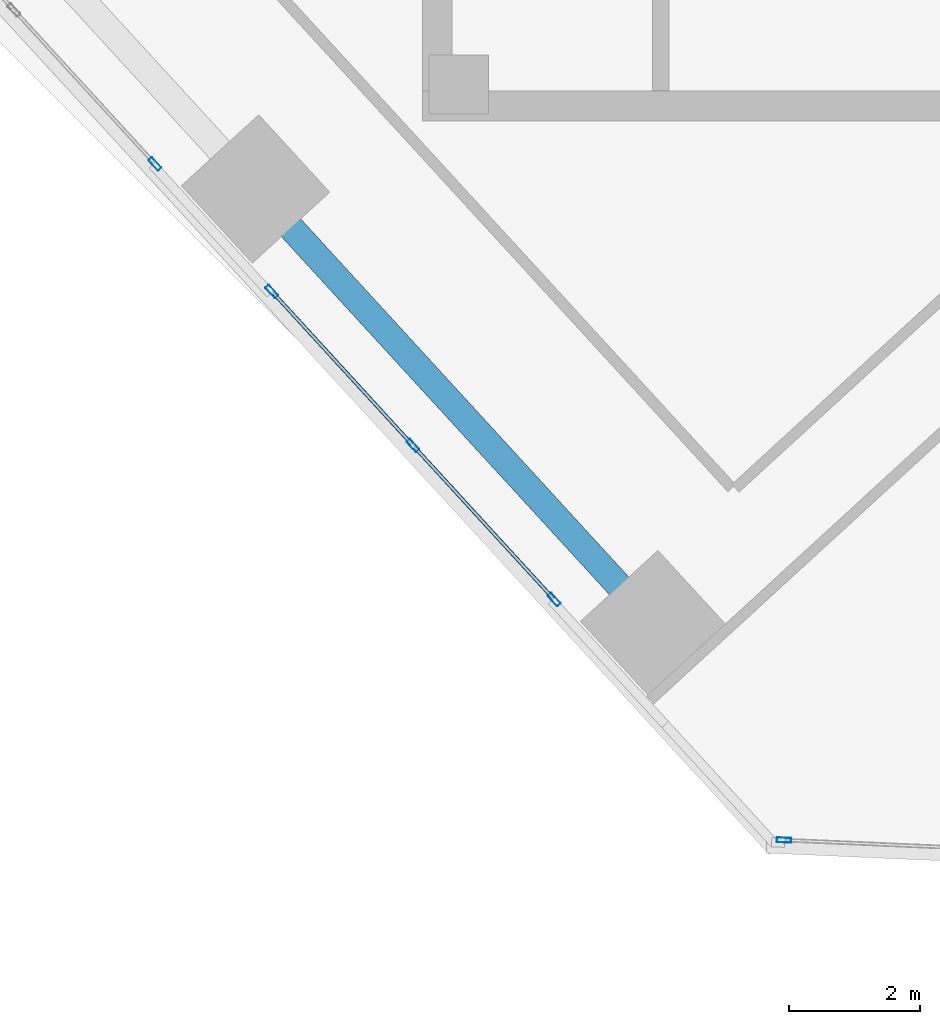
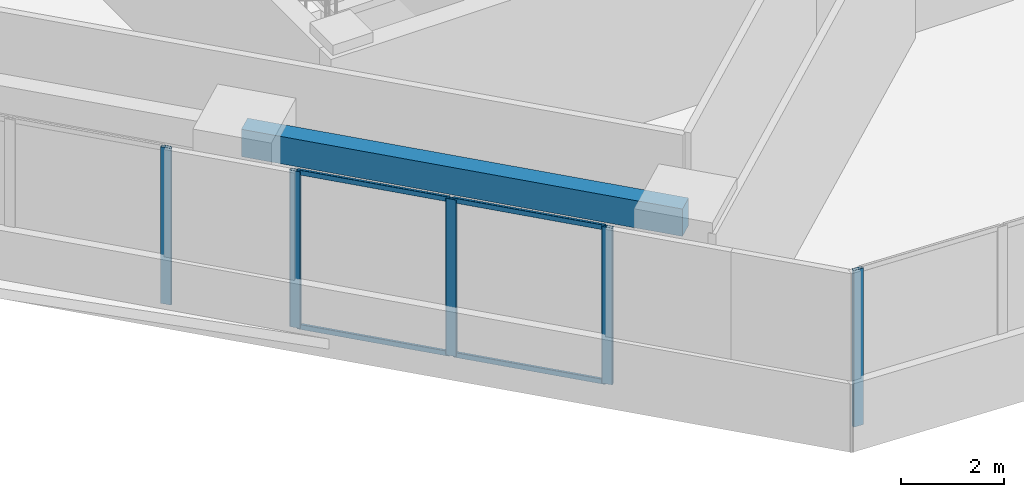
# One storey, part 2 of 17: 9 members, 1 beam, 3 elements without a shape of their own.
"""IFC4 building model written with IfcOpenShell, lengths in metres."""

from ifc_helpers import new_model, si_unit, direction, frame, origin, origin_2d, place, context, subcontext, project, spatial, rectangle, hollow_rectangle, extrude, source, transform, mapped, material, material_profile, profile_set, type_object, element, aggregate, save


model = new_model("IFC4")

# Units and contexts
model_context = context("Model", 3, precision=1e-05, world=origin(), true_north=direction((0.0, 1.0)))
body_context = subcontext(model_context, "Body", "Model", "MODEL_VIEW")
ifc_project = project(units=[si_unit("LENGTHUNIT", "METRE"), si_unit("AREAUNIT", "SQUARE_METRE"), si_unit("VOLUMEUNIT", "CUBIC_METRE"), si_unit("PLANEANGLEUNIT", "RADIAN"), si_unit("MASSUNIT", "GRAM", prefix="KILO")], contexts=[model_context])

# Site, building, storey
site_placement = place(None, origin())
site = spatial("IfcSite", under=ifc_project, at=site_placement, CompositionType="ELEMENT")
building_placement = place(site_placement, origin())
building = spatial("IfcBuilding", under=site, at=building_placement, Name="Torre Montelarca", CompositionType="ELEMENT")
storey_placement = place(building_placement, frame((0.0, 0.0, 254.199951171875)))
storey = spatial("IfcBuildingStorey", under=building, at=storey_placement, Name="L57", CompositionType="ELEMENT", Elevation=254.199951171875)

# Beam
ifc_material_1 = material(Name="Concrete C40/50", Category="concrete")
ifc_material_profile_1 = material_profile(ifc_material_1, rectangle(XDim=0.39990234375, YDim=0.64990234375, at=origin_2d()), Name="RCB400X650", Category="concrete")
ifc_profile_set_1 = profile_set([ifc_material_profile_1], Name="Concrete C40/50")
beam_type = type_object("IfcBeamType", Name="BM-SP-RC650-EXT", PredefinedType="SPANDREL", material=ifc_profile_set_1)
shared_shape_1 = source(origin(), body_context, "Body", "SweptSolid", [
    extrude(rectangle(XDim=0.39990234375, YDim=0.64990234375, at=origin_2d()), origin(), (0.0, 0.0, 1.0), 9.0),
])
beam_placement = place(storey_placement, frame((6.454345703125, 22.960205078125, 3.635009765625), z_axis=(0.675590724023, -0.73727686361, 0.0), x_axis=(0.73727686361, 0.675590724023, 0.0)))
element("IfcBeam", 1, at=beam_placement, inside=storey, type_object=beam_type, Name="L57 Grid Girder X 18.0-27.0 at Y=14.8", PredefinedType="SPANDREL", context=body_context, shape_type="MappedRepresentation", body=[
    mapped(shared_shape_1, transform((0.0, 0.0, 0.0), scale=1.0)),
])

# Curtain wall, member
ifc_material_2 = material(Name="Insulated low-E laminated glass", Category="glass")
curtain_wall_type = type_object("IfcCurtainWallType", Name="CW-SYS-Z3", PredefinedType="USERDEFINED", material=ifc_material_2)
curtain_wall_1_placement = place(storey_placement, origin())
curtain_wall_1 = element("IfcCurtainWall", 2, at=curtain_wall_1_placement, inside=storey, type_object=curtain_wall_type, Name="L57 Curtain Wall Run CW-T3-L57-E01-B1", ObjectType="UNITISED GLAZING", PredefinedType="USERDEFINED")
ifc_material_3 = material(Name="Anodised aluminium AA 6063-T6", Category="aluminium")
ifc_material_profile_2 = material_profile(ifc_material_3, hollow_rectangle(XDim=0.074951171875, YDim=0.219970703125, WallThickness=0.0048828125, InnerFilletRadius=0.0048828125, OuterFilletRadius=0.010009765625, at=origin_2d()), Name="ALU75X220X5", Category="aluminium")
ifc_profile_set_2 = profile_set([ifc_material_profile_2], Name="Anodised aluminium AA 6063-T6")
member_type_1 = type_object("IfcMemberType", Name="CWM-ALU220", PredefinedType="MULLION", material=ifc_profile_set_2)
shared_shape_2 = source(origin(), body_context, "Body", "SweptSolid", [
    extrude(hollow_rectangle(XDim=0.074951171875, YDim=0.219970703125, WallThickness=0.0048828125, InnerFilletRadius=0.0048828125, OuterFilletRadius=0.010009765625, at=origin_2d()), origin(), (0.0, 0.0, 1.0), 3.719970703125),
])
member_1_placement = place(storey_placement, frame((4.9228515625, 23.34375, 0.0), z_axis=(0.0, 0.0, 1.0), x_axis=(0.737279815472, 0.675587502621, 0.0)))
member_1 = element("IfcMember", 3, at=member_1_placement, type_object=member_type_1, Name="CW mullion 3", PredefinedType="MULLION", context=body_context, shape_type="MappedRepresentation", body=[
    mapped(shared_shape_2, transform((0.0, 0.0, 0.0), scale=1.0)),
])
aggregate(curtain_wall_1, [member_1])

# Curtain wall, members
curtain_wall_2_placement = place(storey_placement, origin())
curtain_wall_2 = element("IfcCurtainWall", 4, at=curtain_wall_2_placement, inside=storey, type_object=curtain_wall_type, Name="L57 Curtain Wall Run CW-T3-L57-E01-B2", ObjectType="UNITISED GLAZING", PredefinedType="USERDEFINED")
member_2_placement = place(storey_placement, frame((6.702880859375, 21.401123046875, 0.0), z_axis=(0.0, 0.0, 1.0), x_axis=(0.737279815472, 0.675587502621, 0.0)))
member_2 = element("IfcMember", 5, at=member_2_placement, type_object=member_type_1, Name="CW mullion 1", PredefinedType="MULLION", context=body_context, shape_type="MappedRepresentation", body=[
    mapped(shared_shape_2, transform((0.0, 0.0, 0.0), scale=1.0)),
])
member_3_placement = place(storey_placement, frame((8.85302734375, 19.0546875, 0.0), z_axis=(0.0, 0.0, 1.0), x_axis=(0.737279815472, 0.675587502621, 0.0)))
member_3 = element("IfcMember", 6, at=member_3_placement, type_object=member_type_1, Name="CW mullion 2", PredefinedType="MULLION", context=body_context, shape_type="MappedRepresentation", body=[
    mapped(shared_shape_2, transform((0.0, 0.0, 0.0), scale=1.0)),
])
member_4_placement = place(storey_placement, frame((11.003173828125, 16.708251953125, 0.0), z_axis=(0.0, 0.0, 1.0), x_axis=(0.737279815472, 0.675587502621, 0.0)))
member_4 = element("IfcMember", 7, at=member_4_placement, type_object=member_type_1, Name="CW mullion 3", PredefinedType="MULLION", context=body_context, shape_type="MappedRepresentation", body=[
    mapped(shared_shape_2, transform((0.0, 0.0, 0.0), scale=1.0)),
])

# Curtain wall, member
curtain_wall_3_placement = place(storey_placement, origin())
curtain_wall_3 = element("IfcCurtainWall", 8, at=curtain_wall_3_placement, inside=storey, type_object=curtain_wall_type, Name="L57 Curtain Wall Run CW-T3-L57-E02-B1", ObjectType="UNITISED GLAZING", PredefinedType="USERDEFINED")
member_5_placement = place(storey_placement, frame((14.505859375, 13.042236328125, 0.0), z_axis=(0.0, 0.0, 1.0), x_axis=(0.043610133473, 0.999048625573, 0.0)))
member_5 = element("IfcMember", 9, at=member_5_placement, type_object=member_type_1, Name="CW mullion 1", PredefinedType="MULLION", context=body_context, shape_type="MappedRepresentation", body=[
    mapped(shared_shape_2, transform((0.0, 0.0, 0.0), scale=1.0)),
])
aggregate(curtain_wall_3, [member_5])

# Member
ifc_material_profile_3 = material_profile(ifc_material_3, hollow_rectangle(XDim=0.054931640625, YDim=0.1201171875, WallThickness=0.00341796875, InnerFilletRadius=0.00341796875, OuterFilletRadius=0.007080078125, at=origin_2d()), Name="ALU55X120X3.5", Category="aluminium")
ifc_profile_set_3 = profile_set([ifc_material_profile_3], Name="Anodised aluminium AA 6063-T6")
member_type_2 = type_object("IfcMemberType", Name="CWT-ALU120", PredefinedType="USERDEFINED", material=ifc_profile_set_3)
shared_shape_3 = source(origin(), body_context, "Body", "SweptSolid", [
    extrude(hollow_rectangle(XDim=0.054931640625, YDim=0.1201171875, WallThickness=0.00341796875, InnerFilletRadius=0.00341796875, OuterFilletRadius=0.007080078125, at=origin_2d()), origin(), (0.0, 0.0, 1.0), 3.107421875),
])
member_6_placement = place(storey_placement, frame((6.728271484375, 21.37353515625, 0.027587890625), z_axis=(0.675596539491, -0.737271534665, 0.0), x_axis=(0.737271534665, 0.675596539491, 0.0)))
member_6 = element("IfcMember", 10, at=member_6_placement, type_object=member_type_2, Name="CW transom 1.1", ObjectType="TRANSOM", PredefinedType="USERDEFINED", context=body_context, shape_type="MappedRepresentation", body=[
    mapped(shared_shape_3, transform((0.0, 0.0, 0.0), scale=1.0)),
])

member_7_placement = place(storey_placement, frame((6.728271484375, 21.37353515625, 3.692626953125), z_axis=(0.675596539491, -0.737271534665, 0.0), x_axis=(0.737271534665, 0.675596539491, 0.0)))
member_7 = element("IfcMember", 11, at=member_7_placement, type_object=member_type_2, Name="CW transom 1.2", ObjectType="TRANSOM", PredefinedType="USERDEFINED", context=body_context, shape_type="MappedRepresentation", body=[
    mapped(shared_shape_3, transform((0.0, 0.0, 0.0), scale=1.0)),
])

member_8_placement = place(storey_placement, frame((8.87841796875, 19.027099609375, 0.027587890625), z_axis=(0.675596539491, -0.737271534665, 0.0), x_axis=(0.737271534665, 0.675596539491, 0.0)))
member_8 = element("IfcMember", 12, at=member_8_placement, type_object=member_type_2, Name="CW transom 2.1", ObjectType="TRANSOM", PredefinedType="USERDEFINED", context=body_context, shape_type="MappedRepresentation", body=[
    mapped(shared_shape_3, transform((0.0, 0.0, 0.0), scale=1.0)),
])

member_9_placement = place(storey_placement, frame((8.87841796875, 19.027099609375, 3.692626953125), z_axis=(0.675596539491, -0.737271534665, 0.0), x_axis=(0.737271534665, 0.675596539491, 0.0)))
member_9 = element("IfcMember", 13, at=member_9_placement, type_object=member_type_2, Name="CW transom 2.2", ObjectType="TRANSOM", PredefinedType="USERDEFINED", context=body_context, shape_type="MappedRepresentation", body=[
    mapped(shared_shape_3, transform((0.0, 0.0, 0.0), scale=1.0)),
])

aggregate(curtain_wall_2, [member_2, member_3, member_4, member_6, member_7, member_8, member_9])

save(model, "model.ifc")
